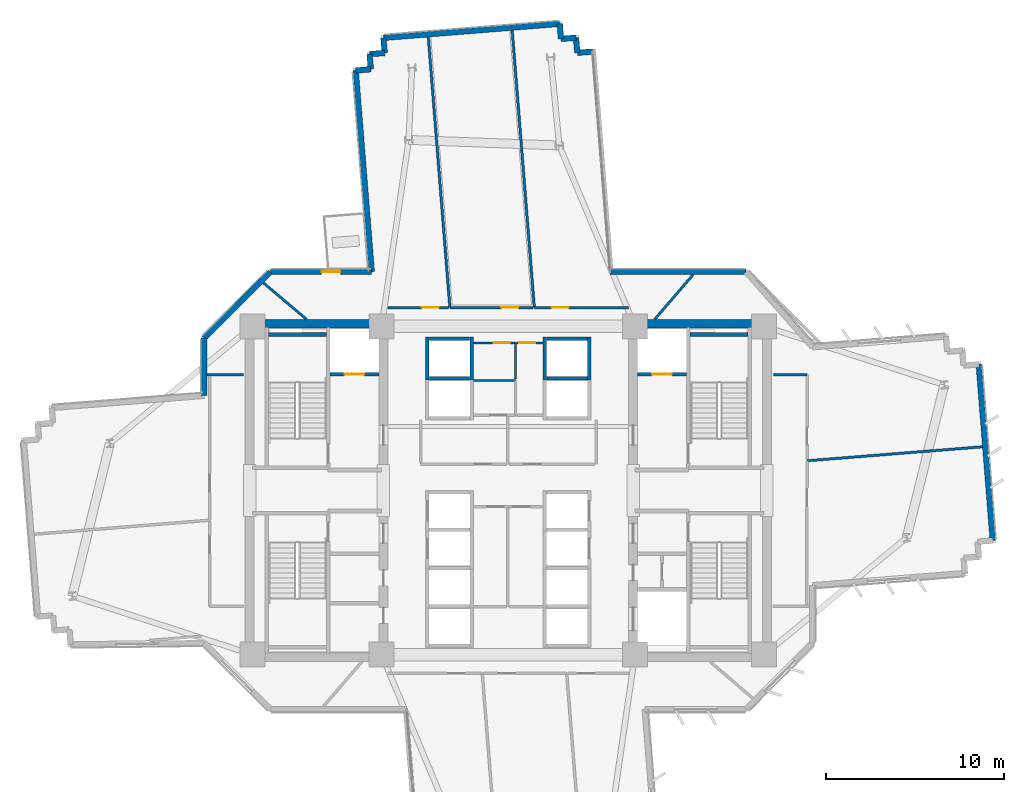
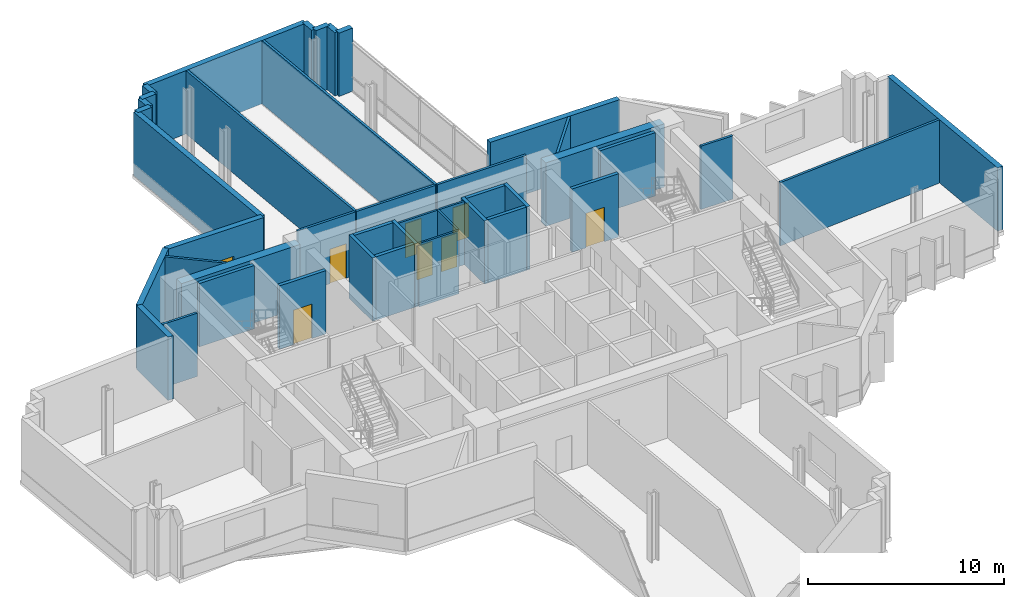
# One storey, part 9 of 15: 43 walls, 8 doors, 8 openings.
"""IFC4 building model written with IfcOpenShell, lengths in metres."""

from ifc_helpers import new_model, si_unit, direction, frame, frame_2d, origin, place, context, subcontext, project, spatial, rectangle, extrude, source, transform, mapped, material, layer, layer_set, type_object, element, fill, save


model = new_model("IFC4")

# Units and contexts
model_context = context("Model", 3, precision=1e-05, world=origin(), true_north=direction((0.0, 1.0)))
body_context = subcontext(model_context, "Body", "Model", "MODEL_VIEW")
ifc_project = project(units=[si_unit("LENGTHUNIT", "METRE"), si_unit("AREAUNIT", "SQUARE_METRE"), si_unit("VOLUMEUNIT", "CUBIC_METRE"), si_unit("PLANEANGLEUNIT", "RADIAN"), si_unit("MASSUNIT", "GRAM", prefix="KILO")], contexts=[model_context])

# Site, building, storey
site_placement = place(None, origin())
site = spatial("IfcSite", under=ifc_project, at=site_placement, CompositionType="ELEMENT")
building_placement = place(site_placement, origin())
building = spatial("IfcBuilding", under=site, at=building_placement, Name="Zahravan Cultural Tower", CompositionType="ELEMENT")
storey_placement = place(building_placement, frame((0.0, 0.0, 79.5)))
storey = spatial("IfcBuildingStorey", under=building, at=storey_placement, Name="L17", CompositionType="ELEMENT", Elevation=79.5)

# Wall, opening, door
ifc_material_1 = material(Name="Precast concrete C40/50", Category="concrete")
ifc_layer_1 = layer(ifc_material_1, 0.320068359375)
ifc_layer_set_1 = layer_set([ifc_layer_1], Name="Precast concrete C40/50")
wall_type_1 = type_object("IfcWallType", Name="EW-TC-320", PredefinedType="SOLIDWALL", material=ifc_layer_set_1)
wall_1_placement = place(storey_placement, frame((22.657958984375, 39.260009765625, 0.0), z_axis=(0.0, 0.0, 1.0), x_axis=(1.0, 0.0, 0.0)))
wall_1 = element("IfcWall", 1, at=wall_1_placement, inside=storey, type_object=wall_type_1, Name="L17 Exterior Masonry Frame Wall 40", PredefinedType="SOLIDWALL", context=body_context, shape_type="SweptSolid", body=[
    extrude(rectangle(XDim=5.68310546875, YDim=0.320068359375, at=frame_2d((2.841552734375, 0.0))), origin(), (0.0, 0.0, 1.0), 3.949951171875),
])
opening_1_placement = place(wall_1_placement, frame((2.8720703125, 0.0, 0.0)))
opening_1 = element("IfcOpeningElement", 2, at=opening_1_placement, cuts=wall_1, Name="Opening D-L17-TR-NW", PredefinedType="OPENING", context=body_context, shape_type="SweptSolid", body=[
    extrude(rectangle(XDim=1.050048828125, YDim=2.14990234375, at=frame_2d((0.52490234375, 1.074951171875))), frame((0.0, 0.169921875, 0.0), z_axis=(0.0, -1.0, 0.0), x_axis=(1.0, 0.0, 0.0)), (0.0, 0.0, 1.0), 0.340087890625),
])
ifc_material_2 = material(Name="Anodised bronze-aluminium mullion", Category="aluminium")
door_type_1 = type_object("IfcDoorType", Name="DR-TERR-1050", OperationType="NOTDEFINED", PredefinedType="DOOR", material=ifc_material_2)
shared_shape_1 = source(origin(), body_context, "Body", "SweptSolid", [
    extrude(rectangle(XDim=1.050048828125, YDim=2.14990234375, at=frame_2d((0.52490234375, 1.074951171875))), frame((0.0, 0.02490234375, 0.0), z_axis=(0.0, -1.0, 0.0), x_axis=(1.0, 0.0, 0.0)), (0.0, 0.0, 1.0), 0.050048828125),
])
door_1_placement = place(opening_1_placement, origin())
door_1 = element("IfcDoor", 3, at=door_1_placement, inside=storey, type_object=door_type_1, Name="L17 Terrace Access Door NW", OperationType="SINGLE_SWING_RIGHT", OverallHeight=2.14990234375, OverallWidth=1.050048828125, PredefinedType="DOOR", context=body_context, shape_type="MappedRepresentation", body=[
    mapped(shared_shape_1, transform((0.0, 0.0, 0.0), x_axis=(1.0, 0.0, 0.0), y_axis=(0.0, 1.0, 0.0), z_axis=(0.0, 0.0, 1.0), scale=1.0)),
])
fill(opening_1, door_1)

ifc_material_3 = material(Name="Gypsum plasterboard partition")
ifc_layer_2 = layer(ifc_material_3, 0.139892578125)
ifc_layer_set_2 = layer_set([ifc_layer_2], Name="Gypsum plasterboard partition")
wall_type_2 = type_object("IfcWallType", Name="W-PART-140", PredefinedType="PARTITIONING", material=ifc_layer_set_2)
wall_2_placement = place(storey_placement, frame((37.3837890625, 37.260009765625, 0.0), z_axis=(0.0, 0.0, 1.0), x_axis=(-1.0, 0.0, 0.0)))
wall_2 = element("IfcWall", 4, at=wall_2_placement, inside=storey, type_object=wall_type_2, Name="L17 Interior Wall 086", PredefinedType="PARTITIONING", context=body_context, shape_type="SweptSolid", body=[
    extrude(rectangle(XDim=4.659912109375, YDim=0.139892578125, at=frame_2d((2.330078125, 0.0))), origin(), (0.0, 0.0, 1.0), 3.949951171875),
])
opening_2_placement = place(wall_2_placement, frame((0.816162109375, 0.0, 0.0)))
opening_2 = element("IfcOpeningElement", 5, at=opening_2_placement, cuts=wall_2, Name="Opening D-L17-22", PredefinedType="OPENING", context=body_context, shape_type="SweptSolid", body=[
    extrude(rectangle(XDim=0.949951171875, YDim=2.14990234375, at=frame_2d((0.47509765625, 1.074951171875))), frame((0.0, 0.079833984375, 0.0), z_axis=(0.0, -1.0, 0.0), x_axis=(1.0, 0.0, 0.0)), (0.0, 0.0, 1.0), 0.159912109375),
])
door_type_2 = type_object("IfcDoorType", Name="DR-ROOM-950", OperationType="NOTDEFINED", PredefinedType="DOOR", material=ifc_material_2)
shared_shape_2 = source(origin(), body_context, "Body", "SweptSolid", [
    extrude(rectangle(XDim=0.949951171875, YDim=2.14990234375, at=frame_2d((0.47509765625, 1.074951171875))), frame((0.0, 0.02490234375, 0.0), z_axis=(0.0, -1.0, 0.0), x_axis=(1.0, 0.0, 0.0)), (0.0, 0.0, 1.0), 0.050048828125),
])
door_2_placement = place(opening_2_placement, origin())
door_2 = element("IfcDoor", 6, at=door_2_placement, inside=storey, type_object=door_type_2, Name="L17 Door D-L17-22", OperationType="SINGLE_SWING_RIGHT", OverallHeight=2.14990234375, OverallWidth=0.949951171875, PredefinedType="DOOR", context=body_context, shape_type="MappedRepresentation", body=[
    mapped(shared_shape_2, transform((0.0, 0.0, 0.0), x_axis=(1.0, 0.0, 0.0), y_axis=(0.0, 1.0, 0.0), z_axis=(0.0, 0.0, 1.0), scale=1.0)),
])
fill(opening_2, door_2)

wall_3_placement = place(storey_placement, frame((32.648681640625, 37.260009765625, 0.0), z_axis=(0.0, 0.0, 1.0), x_axis=(-0.999999935313, -0.00035968633, 0.0)))
wall_3 = element("IfcWall", 7, at=wall_3_placement, inside=storey, type_object=wall_type_2, Name="L17 Interior Wall 094", PredefinedType="PARTITIONING", context=body_context, shape_type="SweptSolid", body=[
    extrude(rectangle(XDim=3.393798828125, YDim=0.139892578125, at=frame_2d((1.69677734375, 0.0))), origin(), (0.0, 0.0, 1.0), 3.949951171875),
])
opening_3_placement = place(wall_3_placement, frame((0.53759765625, 0.0, 0.0)))
opening_3 = element("IfcOpeningElement", 8, at=opening_3_placement, cuts=wall_3, Name="Opening D-L17-23", PredefinedType="OPENING", context=body_context, shape_type="SweptSolid", body=[
    extrude(rectangle(XDim=0.949951171875, YDim=2.14990234375, at=frame_2d((0.47509765625, 1.074951171875))), frame((0.0, 0.079833984375, 0.0), z_axis=(0.0, -1.0, 0.0), x_axis=(1.0, 0.0, 0.0)), (0.0, 0.0, 1.0), 0.159912109375),
])
door_3_placement = place(opening_3_placement, origin())
door_3 = element("IfcDoor", 9, at=door_3_placement, inside=storey, type_object=door_type_2, Name="L17 Door D-L17-23", OperationType="SINGLE_SWING_LEFT", OverallHeight=2.14990234375, OverallWidth=0.949951171875, PredefinedType="DOOR", context=body_context, shape_type="MappedRepresentation", body=[
    mapped(shared_shape_2, transform((0.0, 0.0, 0.0), x_axis=(1.0, 0.0, 0.0), y_axis=(0.0, 1.0, 0.0), z_axis=(0.0, 0.0, 1.0), scale=1.0)),
])
fill(opening_3, door_3)

wall_4_placement = place(storey_placement, frame((42.742431640625, 37.259765625, 0.0), z_axis=(0.0, 0.0, 1.0), x_axis=(-0.999999998924, 4.6384341e-05, 0.0)))
wall_4 = element("IfcWall", 10, at=wall_4_placement, inside=storey, type_object=wall_type_2, Name="L17 Interior Wall 096", PredefinedType="PARTITIONING", context=body_context, shape_type="SweptSolid", body=[
    extrude(rectangle(XDim=5.263427734375, YDim=0.139892578125, at=frame_2d((2.6318359375, 0.0))), origin(), (0.0, 0.0, 1.0), 3.949951171875),
])
opening_4_placement = place(wall_4_placement, frame((3.364501953125, 0.0, 0.0)))
opening_4 = element("IfcOpeningElement", 11, at=opening_4_placement, cuts=wall_4, Name="Opening D-L17-21", PredefinedType="OPENING", context=body_context, shape_type="SweptSolid", body=[
    extrude(rectangle(XDim=0.949951171875, YDim=2.14990234375, at=frame_2d((0.47509765625, 1.074951171875))), frame((0.0, 0.079833984375, 0.0), z_axis=(0.0, -1.0, 0.0), x_axis=(1.0, 0.0, 0.0)), (0.0, 0.0, 1.0), 0.159912109375),
])
door_4_placement = place(opening_4_placement, origin())
door_4 = element("IfcDoor", 12, at=door_4_placement, inside=storey, type_object=door_type_2, Name="L17 Door D-L17-21", OperationType="SINGLE_SWING_LEFT", OverallHeight=2.14990234375, OverallWidth=0.949951171875, PredefinedType="DOOR", context=body_context, shape_type="MappedRepresentation", body=[
    mapped(shared_shape_2, transform((0.0, 0.0, 0.0), x_axis=(1.0, 0.0, 0.0), y_axis=(0.0, 1.0, 0.0), z_axis=(0.0, 0.0, 1.0), scale=1.0)),
])
fill(opening_4, door_4)

ifc_material_4 = material(Name="Concrete C45/55", Category="concrete")
ifc_layer_3 = layer(ifc_material_4, 0.199951171875)
ifc_layer_set_3 = layer_set([ifc_layer_3], Name="Concrete C45/55")
wall_type_3 = type_object("IfcWallType", Name="W-SHAFT-200", PredefinedType="SOLIDWALL", material=ifc_layer_set_3)
wall_5_placement = place(storey_placement, frame((26.0, 33.52001953125, 0.0), z_axis=(0.0, 0.0, 1.0), x_axis=(1.0, 0.0, 0.0)))
wall_5 = element("IfcWall", 13, at=wall_5_placement, inside=storey, type_object=wall_type_3, Name="L17 Interior Wall 021", PredefinedType="SOLIDWALL", context=body_context, shape_type="SweptSolid", body=[
    extrude(rectangle(XDim=2.75, YDim=0.199951171875, at=frame_2d((1.375, 0.0))), origin(), (0.0, 0.0, 1.0), 3.949951171875),
])
opening_5_placement = place(wall_5_placement, frame((0.820068359375, 0.0, 0.0)))
opening_5 = element("IfcOpeningElement", 14, at=opening_5_placement, cuts=wall_5, Name="Opening LD-L17-01", PredefinedType="OPENING", context=body_context, shape_type="SweptSolid", body=[
    extrude(rectangle(XDim=1.10009765625, YDim=2.14990234375, at=frame_2d((0.550048828125, 1.074951171875))), frame((0.0, 0.10986328125, 0.0), z_axis=(0.0, -1.0, 0.0), x_axis=(1.0, 0.0, 0.0)), (0.0, 0.0, 1.0), 0.219970703125),
])
ifc_material_5 = material(Name="Steel ASTM A572 Grade 50", Category="steel")
door_type_3 = type_object("IfcDoorType", Name="DR-LIFT-1100", OperationType="DOUBLE_DOOR_SLIDING", PredefinedType="DOOR", material=ifc_material_5)
shared_shape_3 = source(origin(), body_context, "Body", "SweptSolid", [
    extrude(rectangle(XDim=1.10009765625, YDim=2.14990234375, at=frame_2d((0.550048828125, 1.074951171875))), frame((0.0, 0.02490234375, 0.0), z_axis=(0.0, -1.0, 0.0), x_axis=(1.0, 0.0, 0.0)), (0.0, 0.0, 1.0), 0.050048828125),
])
door_5_placement = place(opening_5_placement, origin())
door_5 = element("IfcDoor", 15, at=door_5_placement, inside=storey, type_object=door_type_3, Name="L17 Door LD-L17-01", OperationType="DOUBLE_DOOR_SLIDING", OverallHeight=2.14990234375, OverallWidth=1.10009765625, PredefinedType="DOOR", context=body_context, shape_type="MappedRepresentation", body=[
    mapped(shared_shape_3, transform((0.0, 0.0, 0.0), x_axis=(1.0, 0.0, 0.0), y_axis=(0.0, 1.0, 0.0), z_axis=(0.0, 0.0, 1.0), scale=1.0)),
])
fill(opening_5, door_5)

wall_6_placement = place(storey_placement, frame((43.25, 33.52001953125, 0.0), z_axis=(0.0, 0.0, 1.0), x_axis=(1.0, 0.0, 0.0)))
wall_6 = element("IfcWall", 16, at=wall_6_placement, inside=storey, type_object=wall_type_3, Name="L17 Interior Wall 022", PredefinedType="SOLIDWALL", context=body_context, shape_type="SweptSolid", body=[
    extrude(rectangle(XDim=2.75, YDim=0.199951171875, at=frame_2d((1.375, 0.0))), origin(), (0.0, 0.0, 1.0), 3.949951171875),
])
opening_6_placement = place(wall_6_placement, frame((0.820068359375, 0.0, 0.0)))
opening_6 = element("IfcOpeningElement", 17, at=opening_6_placement, cuts=wall_6, Name="Opening LD-L17-02", PredefinedType="OPENING", context=body_context, shape_type="SweptSolid", body=[
    extrude(rectangle(XDim=1.10009765625, YDim=2.14990234375, at=frame_2d((0.550048828125, 1.074951171875))), frame((0.0, 0.10986328125, 0.0), z_axis=(0.0, -1.0, 0.0), x_axis=(1.0, 0.0, 0.0)), (0.0, 0.0, 1.0), 0.219970703125),
])
door_6_placement = place(opening_6_placement, origin())
door_6 = element("IfcDoor", 18, at=door_6_placement, inside=storey, type_object=door_type_3, Name="L17 Door LD-L17-02", OperationType="DOUBLE_DOOR_SLIDING", OverallHeight=2.14990234375, OverallWidth=1.10009765625, PredefinedType="DOOR", context=body_context, shape_type="MappedRepresentation", body=[
    mapped(shared_shape_3, transform((0.0, 0.0, 0.0), x_axis=(1.0, 0.0, 0.0), y_axis=(0.0, 1.0, 0.0), z_axis=(0.0, 0.0, 1.0), scale=1.0)),
])
fill(opening_6, door_6)

ifc_layer_4 = layer(ifc_material_3, 0.114990234375)
ifc_layer_set_4 = layer_set([ifc_layer_4], Name="Gypsum plasterboard partition")
wall_type_4 = type_object("IfcWallType", Name="W-WC-115", PredefinedType="PARTITIONING", material=ifc_layer_set_4)
wall_7_placement = place(storey_placement, frame((34.054931640625, 35.280029296875, 0.0), z_axis=(0.0, 0.0, 1.0), x_axis=(1.0, 0.0, 0.0)))
wall_7 = element("IfcWall", 19, at=wall_7_placement, inside=storey, type_object=wall_type_4, Name="L17 Interior Wall 071", PredefinedType="PARTITIONING", context=body_context, shape_type="SweptSolid", body=[
    extrude(rectangle(XDim=2.35498046875, YDim=0.114990234375, at=frame_2d((1.177490234375, 0.0))), origin(), (0.0, 0.0, 1.0), 3.949951171875),
])
opening_7_placement = place(wall_7_placement, frame((1.120849609375, 0.0, 0.0)))
opening_7 = element("IfcOpeningElement", 20, at=opening_7_placement, cuts=wall_7, Name="Opening D-L17-13", PredefinedType="OPENING", context=body_context, shape_type="SweptSolid", body=[
    extrude(rectangle(XDim=0.89990234375, YDim=2.10009765625, at=frame_2d((0.449951171875, 1.050048828125))), frame((0.0, 0.0673828125, 0.0), z_axis=(0.0, -1.0, 0.0), x_axis=(1.0, 0.0, 0.0)), (0.0, 0.0, 1.0), 0.135009765625),
])
door_type_4 = type_object("IfcDoorType", Name="DR-WC-900", OperationType="NOTDEFINED", PredefinedType="DOOR", material=ifc_material_2)
shared_shape_4 = source(origin(), body_context, "Body", "SweptSolid", [
    extrude(rectangle(XDim=0.89990234375, YDim=2.10009765625, at=frame_2d((0.449951171875, 1.050048828125))), frame((0.0, 0.02490234375, 0.0), z_axis=(0.0, -1.0, 0.0), x_axis=(1.0, 0.0, 0.0)), (0.0, 0.0, 1.0), 0.050048828125),
])
door_7_placement = place(opening_7_placement, origin())
door_7 = element("IfcDoor", 21, at=door_7_placement, inside=storey, type_object=door_type_4, Name="L17 Door D-L17-13", OperationType="SINGLE_SWING_LEFT", OverallHeight=2.10009765625, OverallWidth=0.89990234375, PredefinedType="DOOR", context=body_context, shape_type="MappedRepresentation", body=[
    mapped(shared_shape_4, transform((0.0, 0.0, 0.0), x_axis=(1.0, 0.0, 0.0), y_axis=(0.0, 1.0, 0.0), z_axis=(0.0, 0.0, 1.0), scale=1.0)),
])
fill(opening_7, door_7)

wall_8_placement = place(storey_placement, frame((36.472412109375, 35.280029296875, 0.0), z_axis=(0.0, 0.0, 1.0), x_axis=(1.0, 0.0, 0.0)))
wall_8 = element("IfcWall", 22, at=wall_8_placement, inside=storey, type_object=wall_type_4, Name="L17 Interior Wall 074", PredefinedType="PARTITIONING", context=body_context, shape_type="SweptSolid", body=[
    extrude(rectangle(XDim=1.47265625, YDim=0.114990234375, at=frame_2d((0.736328125, 0.0))), origin(), (0.0, 0.0, 1.0), 3.949951171875),
])
opening_8_placement = place(wall_8_placement, frame((0.139892578125, 0.0, 0.0)))
opening_8 = element("IfcOpeningElement", 23, at=opening_8_placement, cuts=wall_8, Name="Opening D-L17-14", PredefinedType="OPENING", context=body_context, shape_type="SweptSolid", body=[
    extrude(rectangle(XDim=0.89990234375, YDim=2.10009765625, at=frame_2d((0.449951171875, 1.050048828125))), frame((0.0, 0.0673828125, 0.0), z_axis=(0.0, -1.0, 0.0), x_axis=(1.0, 0.0, 0.0)), (0.0, 0.0, 1.0), 0.135009765625),
])
door_8_placement = place(opening_8_placement, origin())
door_8 = element("IfcDoor", 24, at=door_8_placement, inside=storey, type_object=door_type_4, Name="L17 Door D-L17-14", OperationType="SINGLE_SWING_RIGHT", OverallHeight=2.10009765625, OverallWidth=0.89990234375, PredefinedType="DOOR", context=body_context, shape_type="MappedRepresentation", body=[
    mapped(shared_shape_4, transform((0.0, 0.0, 0.0), x_axis=(1.0, 0.0, 0.0), y_axis=(0.0, 1.0, 0.0), z_axis=(0.0, 0.0, 1.0), scale=1.0)),
])
fill(opening_8, door_8)

# Walls
ifc_material_6 = material(Name="Concrete C60/75", Category="concrete")
ifc_layer_5 = layer(ifc_material_6, 0.5)
ifc_layer_set_5 = layer_set([ifc_layer_5], Name="Concrete C60/75")
wall_type_5 = type_object("IfcWallType", Name="CW-SHEAR-500-C60", PredefinedType="SHEAR", material=ifc_layer_set_5)
shared_shape_5 = source(origin(), body_context, "Body", "SweptSolid", [
    extrude(rectangle(XDim=7.0, YDim=0.5, at=frame_2d((3.5, 0.0))), origin(), (0.0, 0.0, 1.0), 3.949951171875),
])
for number, where, z_axis, x_axis, name in (
    (25, (21.75, 36.35009765625, 0.0), (0.0, 0.0, 1.0), (1.0, 0.0, 0.0), "L17 Core Shear Wall CW-W-N-L17"),
    (26, (43.25, 36.35009765625, 0.0), (0.0, 0.0, 1.0), (1.0, 0.0, 0.0), "L17 Core Shear Wall CW-E-N-L17"),
):
    element("IfcWall", number, at=place(storey_placement, frame(where, z_axis=z_axis, x_axis=x_axis)), inside=storey, type_object=wall_type_5, Name=name, PredefinedType="SHEAR", context=body_context, shape_type="MappedRepresentation", body=[
        mapped(shared_shape_5, transform((0.0, 0.0, 0.0), x_axis=(1.0, 0.0, 0.0), y_axis=(0.0, 1.0, 0.0), z_axis=(0.0, 0.0, 1.0), scale=1.0)),
    ])
shared_shape_6 = source(origin(), body_context, "Body", "SweptSolid", [
    extrude(rectangle(XDim=0.849853515625, YDim=0.320068359375, at=frame_2d((0.4248046875, 0.0))), origin(), (0.0, 0.0, 1.0), 3.949951171875),
])
for number, where, z_axis, x_axis, name in (
    (27, (29.0673828125, 51.53662109375, 0.0), (0.0, 0.0, 1.0), (-0.079573954853, 0.996828965123, 0.0), "L17 Exterior Masonry Frame Wall 45"),
    (28, (38.9560546875, 52.3251953125, 0.0), (0.0, 0.0, 1.0), (0.996851711541, 0.079288493483, 0.0), "L17 Exterior Masonry Frame Wall 48"),
    (29, (39.80322265625, 52.392578125, 0.0), (0.0, 0.0, 1.0), (0.079573954853, -0.996828965123, 0.0), "L17 Exterior Masonry Frame Wall 49"),
):
    element("IfcWall", number, at=place(storey_placement, frame(where, z_axis=z_axis, x_axis=x_axis)), inside=storey, type_object=wall_type_1, Name=name, PredefinedType="SOLIDWALL", context=body_context, shape_type="MappedRepresentation", body=[
        mapped(shared_shape_6, transform((0.0, 0.0, 0.0), x_axis=(1.0, 0.0, 0.0), y_axis=(0.0, 1.0, 0.0), z_axis=(0.0, 0.0, 1.0), scale=1.0)),
    ])
shared_shape_7 = source(origin(), body_context, "Body", "SweptSolid", [
    extrude(rectangle(XDim=0.85009765625, YDim=0.320068359375, at=frame_2d((0.425048828125, 0.0))), origin(), (0.0, 0.0, 1.0), 3.949951171875),
])
for number, where, z_axis, x_axis, name in (
    (30, (27.440185546875, 50.55419921875, 0.0), (0.0, 0.0, 1.0), (0.99685351678, 0.079265793901, 0.0), "L17 Exterior Masonry Frame Wall 42"),
    (31, (28.28759765625, 50.62158203125, 0.0), (0.0, 0.0, 1.0), (-0.079551174585, 0.996830783344, 0.0), "L17 Exterior Masonry Frame Wall 43"),
    (32, (28.219970703125, 51.468994140625, 0.0), (0.0, 0.0, 1.0), (0.996830783344, 0.079551174585, 0.0), "L17 Exterior Masonry Frame Wall 44"),
    (33, (38.888427734375, 53.172607421875, 0.0), (0.0, 0.0, 1.0), (0.079551174585, -0.996830783344, 0.0), "L17 Exterior Masonry Frame Wall 47"),
    (34, (39.870849609375, 51.54541015625, 0.0), (0.0, 0.0, 1.0), (0.996830783344, 0.079551174585, 0.0), "L17 Exterior Masonry Frame Wall 50"),
):
    element("IfcWall", number, at=place(storey_placement, frame(where, z_axis=z_axis, x_axis=x_axis)), inside=storey, type_object=wall_type_1, Name=name, PredefinedType="SOLIDWALL", context=body_context, shape_type="MappedRepresentation", body=[
        mapped(shared_shape_7, transform((0.0, 0.0, 0.0), x_axis=(1.0, 0.0, 0.0), y_axis=(0.0, 1.0, 0.0), z_axis=(0.0, 0.0, 1.0), scale=1.0)),
    ])
shared_shape_8 = source(origin(), body_context, "Body", "SweptSolid", [
    extrude(rectangle(XDim=9.919921875, YDim=0.320068359375, at=frame_2d((4.9599609375, 0.0))), origin(), (0.0, 0.0, 1.0), 3.949951171875),
])
wall_9_placement = place(storey_placement, frame((62.380615234375, 34.07958984375, 0.0), z_axis=(0.0, 0.0, 1.0), x_axis=(0.07949480177, -0.996835280521, 0.0)))
element("IfcWall", 35, at=wall_9_placement, inside=storey, type_object=wall_type_1, Name="L17 Exterior Masonry Frame Wall 06", PredefinedType="SOLIDWALL", context=body_context, shape_type="MappedRepresentation", body=[
    mapped(shared_shape_8, transform((0.0, 0.0, 0.0), x_axis=(1.0, 0.0, 0.0), y_axis=(0.0, 1.0, 0.0), z_axis=(0.0, 0.0, 1.0), scale=1.0)),
])
shared_shape_9 = source(origin(), body_context, "Body", "SweptSolid", [
    extrude(rectangle(XDim=5.258056640625, YDim=0.320068359375, at=frame_2d((2.62890625, 0.0))), origin(), (0.0, 0.0, 1.0), 3.949951171875),
])
wall_10_placement = place(storey_placement, frame((18.93994140625, 35.5419921875, 0.0), z_axis=(0.0, 0.0, 1.0), x_axis=(0.707106781187, 0.707106781187, 0.0)))
element("IfcWall", 36, at=wall_10_placement, inside=storey, type_object=wall_type_1, Name="L17 Exterior Masonry Frame Wall 39", PredefinedType="SOLIDWALL", context=body_context, shape_type="MappedRepresentation", body=[
    mapped(shared_shape_9, transform((0.0, 0.0, 0.0), x_axis=(1.0, 0.0, 0.0), y_axis=(0.0, 1.0, 0.0), z_axis=(0.0, 0.0, 1.0), scale=1.0)),
])
shared_shape_10 = source(origin(), body_context, "Body", "SweptSolid", [
    extrude(rectangle(XDim=3.221435546875, YDim=0.320068359375, at=frame_2d((1.61083984375, 0.0))), origin(), (0.0, 0.0, 1.0), 3.949951171875),
])
wall_11_placement = place(storey_placement, frame((18.93994140625, 32.320556640625, 0.0), z_axis=(0.0, 0.0, 1.0), x_axis=(0.0, 1.0, 0.0)))
element("IfcWall", 37, at=wall_11_placement, inside=storey, type_object=wall_type_1, Name="L17 Exterior Masonry Frame Wall 38", PredefinedType="SOLIDWALL", context=body_context, shape_type="MappedRepresentation", body=[
    mapped(shared_shape_10, transform((0.0, 0.0, 0.0), x_axis=(1.0, 0.0, 0.0), y_axis=(0.0, 1.0, 0.0), z_axis=(0.0, 0.0, 1.0), scale=1.0)),
])
shared_shape_11 = source(origin(), body_context, "Body", "SweptSolid", [
    extrude(rectangle(XDim=7.638671875, YDim=0.320068359375, at=frame_2d((3.8193359375, 0.0))), origin(), (0.0, 0.0, 1.0), 3.949951171875),
])
wall_12_placement = place(storey_placement, frame((41.703369140625, 39.260009765625, 0.0), z_axis=(0.0, 0.0, 1.0), x_axis=(1.0, 0.0, 0.0)))
element("IfcWall", 38, at=wall_12_placement, inside=storey, type_object=wall_type_1, Name="L17 Exterior Masonry Frame Wall 51", PredefinedType="SOLIDWALL", context=body_context, shape_type="MappedRepresentation", body=[
    mapped(shared_shape_11, transform((0.0, 0.0, 0.0), x_axis=(1.0, 0.0, 0.0), y_axis=(0.0, 1.0, 0.0), z_axis=(0.0, 0.0, 1.0), scale=1.0)),
])
shared_shape_12 = source(origin(), body_context, "Body", "SweptSolid", [
    extrude(rectangle(XDim=11.330078125, YDim=0.320068359375, at=frame_2d((5.6650390625, 0.0))), origin(), (0.0, 0.0, 1.0), 3.949951171875),
])
wall_13_placement = place(storey_placement, frame((28.341064453125, 39.260009765625, 0.0), z_axis=(0.0, 0.0, 1.0), x_axis=(-0.079512268319, 0.996833887459, 0.0)))
element("IfcWall", 39, at=wall_13_placement, inside=storey, type_object=wall_type_1, Name="L17 Exterior Masonry Frame Wall 41", PredefinedType="SOLIDWALL", context=body_context, shape_type="MappedRepresentation", body=[
    mapped(shared_shape_12, transform((0.0, 0.0, 0.0), x_axis=(1.0, 0.0, 0.0), y_axis=(0.0, 1.0, 0.0), z_axis=(0.0, 0.0, 1.0), scale=1.0)),
])
shared_shape_13 = source(origin(), body_context, "Body", "SweptSolid", [
    extrude(rectangle(XDim=9.920166015625, YDim=0.320068359375, at=frame_2d((4.9599609375, 0.0))), origin(), (0.0, 0.0, 1.0), 3.949951171875),
])
wall_14_placement = place(storey_placement, frame((28.999755859375, 52.3837890625, 0.0), z_axis=(0.0, 0.0, 1.0), x_axis=(0.996833485558, 0.079517306731, 0.0)))
element("IfcWall", 40, at=wall_14_placement, inside=storey, type_object=wall_type_1, Name="L17 Exterior Masonry Frame Wall 46", PredefinedType="SOLIDWALL", context=body_context, shape_type="MappedRepresentation", body=[
    mapped(shared_shape_13, transform((0.0, 0.0, 0.0), x_axis=(1.0, 0.0, 0.0), y_axis=(0.0, 1.0, 0.0), z_axis=(0.0, 0.0, 1.0), scale=1.0)),
])
shared_shape_14 = source(origin(), body_context, "Body", "SweptSolid", [
    extrude(rectangle(XDim=3.25, YDim=0.199951171875, at=frame_2d((1.625, 0.0))), origin(), (0.0, 0.0, 1.0), 3.949951171875),
])
for number, where, z_axis, x_axis, name in (
    (41, (22.550048828125, 35.75, 0.0), (0.0, 0.0, 1.0), (1.0, 0.0, 0.0), "L17 Interior Wall 017"),
    (42, (46.199951171875, 35.75, 0.0), (0.0, 0.0, 1.0), (1.0, 0.0, 0.0), "L17 Interior Wall 018"),
):
    element("IfcWall", number, at=place(storey_placement, frame(where, z_axis=z_axis, x_axis=x_axis)), inside=storey, type_object=wall_type_3, Name=name, PredefinedType="SOLIDWALL", context=body_context, shape_type="MappedRepresentation", body=[
        mapped(shared_shape_14, transform((0.0, 0.0, 0.0), x_axis=(1.0, 0.0, 0.0), y_axis=(0.0, 1.0, 0.0), z_axis=(0.0, 0.0, 1.0), scale=1.0)),
    ])
shared_shape_15 = source(origin(), body_context, "Body", "SweptSolid", [
    extrude(rectangle(XDim=2.400146484375, YDim=0.199951171875, at=frame_2d((1.2001953125, 0.0))), origin(), (0.0, 0.0, 1.0), 3.949951171875),
])
for number, where, z_axis, x_axis, name in (
    (43, (31.449951171875, 33.199951171875, 0.0), (0.0, 0.0, 1.0), (0.0, 1.0, 0.0), "L17 Interior Wall 028"),
    (44, (33.949951171875, 33.199951171875, 0.0), (0.0, 0.0, 1.0), (0.0, 1.0, 0.0), "L17 Interior Wall 029"),
    (45, (38.050048828125, 33.199951171875, 0.0), (0.0, 0.0, 1.0), (0.0, 1.0, 0.0), "L17 Interior Wall 035"),
    (46, (40.550048828125, 33.199951171875, 0.0), (0.0, 0.0, 1.0), (0.0, 1.0, 0.0), "L17 Interior Wall 036"),
):
    element("IfcWall", number, at=place(storey_placement, frame(where, z_axis=z_axis, x_axis=x_axis)), inside=storey, type_object=wall_type_3, Name=name, PredefinedType="SOLIDWALL", context=body_context, shape_type="MappedRepresentation", body=[
        mapped(shared_shape_15, transform((0.0, 0.0, 0.0), x_axis=(1.0, 0.0, 0.0), y_axis=(0.0, 1.0, 0.0), z_axis=(0.0, 0.0, 1.0), scale=1.0)),
    ])
shared_shape_16 = source(origin(), body_context, "Body", "SweptSolid", [
    extrude(rectangle(XDim=2.260009765625, YDim=0.199951171875, at=frame_2d((1.1298828125, 0.0))), origin(), (0.0, 0.0, 1.0), 3.949951171875),
])
for number, where, z_axis, x_axis, name in (
    (47, (31.570068359375, 33.300048828125, 0.0), (0.0, 0.0, 1.0), (1.0, 0.0, 0.0), "L17 Interior Wall 030"),
    (48, (31.570068359375, 35.5, 0.0), (0.0, 0.0, 1.0), (1.0, 0.0, 0.0), "L17 Interior Wall 031"),
    (49, (38.169921875, 33.300048828125, 0.0), (0.0, 0.0, 1.0), (1.0, 0.0, 0.0), "L17 Interior Wall 037"),
    (50, (38.169921875, 35.5, 0.0), (0.0, 0.0, 1.0), (1.0, 0.0, 0.0), "L17 Interior Wall 038"),
):
    element("IfcWall", number, at=place(storey_placement, frame(where, z_axis=z_axis, x_axis=x_axis)), inside=storey, type_object=wall_type_3, Name=name, PredefinedType="SOLIDWALL", context=body_context, shape_type="MappedRepresentation", body=[
        mapped(shared_shape_16, transform((0.0, 0.0, 0.0), x_axis=(1.0, 0.0, 0.0), y_axis=(0.0, 1.0, 0.0), z_axis=(0.0, 0.0, 1.0), scale=1.0)),
    ])
shared_shape_17 = source(origin(), body_context, "Body", "SweptSolid", [
    extrude(rectangle(XDim=2.35498046875, YDim=0.114990234375, at=frame_2d((1.177490234375, 0.0))), origin(), (0.0, 0.0, 1.0), 3.949951171875),
])
wall_15_placement = place(storey_placement, frame((34.054931640625, 33.179931640625, 0.0), z_axis=(0.0, 0.0, 1.0), x_axis=(1.0, 0.0, 0.0)))
element("IfcWall", 51, at=wall_15_placement, inside=storey, type_object=wall_type_4, Name="L17 Interior Wall 069", PredefinedType="PARTITIONING", context=body_context, shape_type="MappedRepresentation", body=[
    mapped(shared_shape_17, transform((0.0, 0.0, 0.0), x_axis=(1.0, 0.0, 0.0), y_axis=(0.0, 1.0, 0.0), z_axis=(0.0, 0.0, 1.0), scale=1.0)),
])
shared_shape_18 = source(origin(), body_context, "Body", "SweptSolid", [
    extrude(rectangle(XDim=2.0400390625, YDim=0.114990234375, at=frame_2d((1.02001953125, 0.0))), origin(), (0.0, 0.0, 1.0), 3.949951171875),
])
wall_16_placement = place(storey_placement, frame((36.409912109375, 35.280029296875, 0.0), z_axis=(0.0, 0.0, 1.0), x_axis=(0.0, -1.0, 0.0)))
element("IfcWall", 52, at=wall_16_placement, inside=storey, type_object=wall_type_4, Name="L17 Interior Wall 072", PredefinedType="PARTITIONING", context=body_context, shape_type="MappedRepresentation", body=[
    mapped(shared_shape_18, transform((0.0, 0.0, 0.0), x_axis=(1.0, 0.0, 0.0), y_axis=(0.0, 1.0, 0.0), z_axis=(0.0, 0.0, 1.0), scale=1.0)),
])
shared_shape_19 = source(origin(), body_context, "Body", "SweptSolid", [
    extrude(rectangle(XDim=2.04931640625, YDim=0.139892578125, at=frame_2d((1.024658203125, 0.0))), origin(), (0.0, 0.0, 1.0), 3.949951171875),
])
wall_17_placement = place(storey_placement, frame((21.1494140625, 33.49658203125, 0.0), z_axis=(0.0, 0.0, 1.0), x_axis=(-0.999999936133, 0.000357398119, 0.0)))
element("IfcWall", 53, at=wall_17_placement, inside=storey, type_object=wall_type_2, Name="L17 Interior Wall 111", PredefinedType="PARTITIONING", context=body_context, shape_type="MappedRepresentation", body=[
    mapped(shared_shape_19, transform((0.0, 0.0, 0.0), x_axis=(1.0, 0.0, 0.0), y_axis=(0.0, 1.0, 0.0), z_axis=(0.0, 0.0, 1.0), scale=1.0)),
])
shared_shape_20 = source(origin(), body_context, "Body", "SweptSolid", [
    extrude(rectangle(XDim=15.58349609375, YDim=0.139892578125, at=frame_2d((7.791748046875, 0.0))), origin(), (0.0, 0.0, 1.0), 3.949951171875),
])
wall_18_placement = place(storey_placement, frame((36.219970703125, 52.794189453125, 0.0), z_axis=(0.0, 0.0, 1.0), x_axis=(0.079507979427, -0.996834229552, 0.0)))
element("IfcWall", 54, at=wall_18_placement, inside=storey, type_object=wall_type_2, Name="L17 Interior Wall 085", PredefinedType="PARTITIONING", context=body_context, shape_type="MappedRepresentation", body=[
    mapped(shared_shape_20, transform((0.0, 0.0, 0.0), x_axis=(1.0, 0.0, 0.0), y_axis=(0.0, 1.0, 0.0), z_axis=(0.0, 0.0, 1.0), scale=1.0)),
])
shared_shape_21 = source(origin(), body_context, "Body", "SweptSolid", [
    extrude(rectangle(XDim=15.20703125, YDim=0.139892578125, at=frame_2d((7.603515625, 0.0))), origin(), (0.0, 0.0, 1.0), 3.949951171875),
])
wall_19_placement = place(storey_placement, frame((32.723876953125, 37.260009765625, 0.0), z_axis=(0.0, 0.0, 1.0), x_axis=(-0.07950146843, 0.996834748851, 0.0)))
element("IfcWall", 55, at=wall_19_placement, inside=storey, type_object=wall_type_2, Name="L17 Interior Wall 087", PredefinedType="PARTITIONING", context=body_context, shape_type="MappedRepresentation", body=[
    mapped(shared_shape_21, transform((0.0, 0.0, 0.0), x_axis=(1.0, 0.0, 0.0), y_axis=(0.0, 1.0, 0.0), z_axis=(0.0, 0.0, 1.0), scale=1.0)),
])
shared_shape_22 = source(origin(), body_context, "Body", "SweptSolid", [
    extrude(rectangle(XDim=3.154541015625, YDim=0.139892578125, at=frame_2d((1.5771484375, 0.0))), origin(), (0.0, 0.0, 1.0), 3.949951171875),
])
wall_20_placement = place(storey_placement, frame((24.681640625, 36.60498046875, 0.0), z_axis=(0.0, 0.0, 1.0), x_axis=(-0.76411384058, 0.645081420159, 0.0)))
element("IfcWall", 56, at=wall_20_placement, inside=storey, type_object=wall_type_2, Name="L17 Interior Wall 095", PredefinedType="PARTITIONING", context=body_context, shape_type="MappedRepresentation", body=[
    mapped(shared_shape_22, transform((0.0, 0.0, 0.0), x_axis=(1.0, 0.0, 0.0), y_axis=(0.0, 1.0, 0.0), z_axis=(0.0, 0.0, 1.0), scale=1.0)),
])
shared_shape_23 = source(origin(), body_context, "Body", "SweptSolid", [
    extrude(rectangle(XDim=3.2900390625, YDim=0.139892578125, at=frame_2d((1.64501953125, 0.0))), origin(), (0.0, 0.0, 1.0), 3.949951171875),
])
wall_21_placement = place(storey_placement, frame((46.359619140625, 39.098876953125, 0.0), z_axis=(0.0, 0.0, 1.0), x_axis=(-0.652214149627, -0.758034763732, 0.0)))
element("IfcWall", 57, at=wall_21_placement, inside=storey, type_object=wall_type_2, Name="L17 Interior Wall 098", PredefinedType="PARTITIONING", context=body_context, shape_type="MappedRepresentation", body=[
    mapped(shared_shape_23, transform((0.0, 0.0, 0.0), x_axis=(1.0, 0.0, 0.0), y_axis=(0.0, 1.0, 0.0), z_axis=(0.0, 0.0, 1.0), scale=1.0)),
])
shared_shape_24 = source(origin(), body_context, "Body", "SweptSolid", [
    extrude(rectangle(XDim=9.865478515625, YDim=0.139892578125, at=frame_2d((4.9326171875, 0.0))), origin(), (0.0, 0.0, 1.0), 3.949951171875),
])
wall_22_placement = place(storey_placement, frame((62.584228515625, 29.451416015625, 0.0), z_axis=(0.0, 0.0, 1.0), x_axis=(-0.996833900052, -0.079512110446, 0.0)))
element("IfcWall", 58, at=wall_22_placement, inside=storey, type_object=wall_type_2, Name="L17 Interior Wall 103", PredefinedType="PARTITIONING", context=body_context, shape_type="MappedRepresentation", body=[
    mapped(shared_shape_24, transform((0.0, 0.0, 0.0), x_axis=(1.0, 0.0, 0.0), y_axis=(0.0, 1.0, 0.0), z_axis=(0.0, 0.0, 1.0), scale=1.0)),
])
shared_shape_25 = source(origin(), body_context, "Body", "SweptSolid", [
    extrude(rectangle(XDim=1.891845703125, YDim=0.139892578125, at=frame_2d((0.94580078125, 0.0))), origin(), (0.0, 0.0, 1.0), 3.949951171875),
])
wall_23_placement = place(storey_placement, frame((52.74951171875, 33.49658203125, 0.0), z_axis=(0.0, 0.0, 1.0), x_axis=(-0.999998592772, 0.001677633463, 0.0)))
element("IfcWall", 59, at=wall_23_placement, inside=storey, type_object=wall_type_2, Name="L17 Interior Wall 105", PredefinedType="PARTITIONING", context=body_context, shape_type="MappedRepresentation", body=[
    mapped(shared_shape_25, transform((0.0, 0.0, 0.0), x_axis=(1.0, 0.0, 0.0), y_axis=(0.0, 1.0, 0.0), z_axis=(0.0, 0.0, 1.0), scale=1.0)),
])

save(model, "model.ifc")
